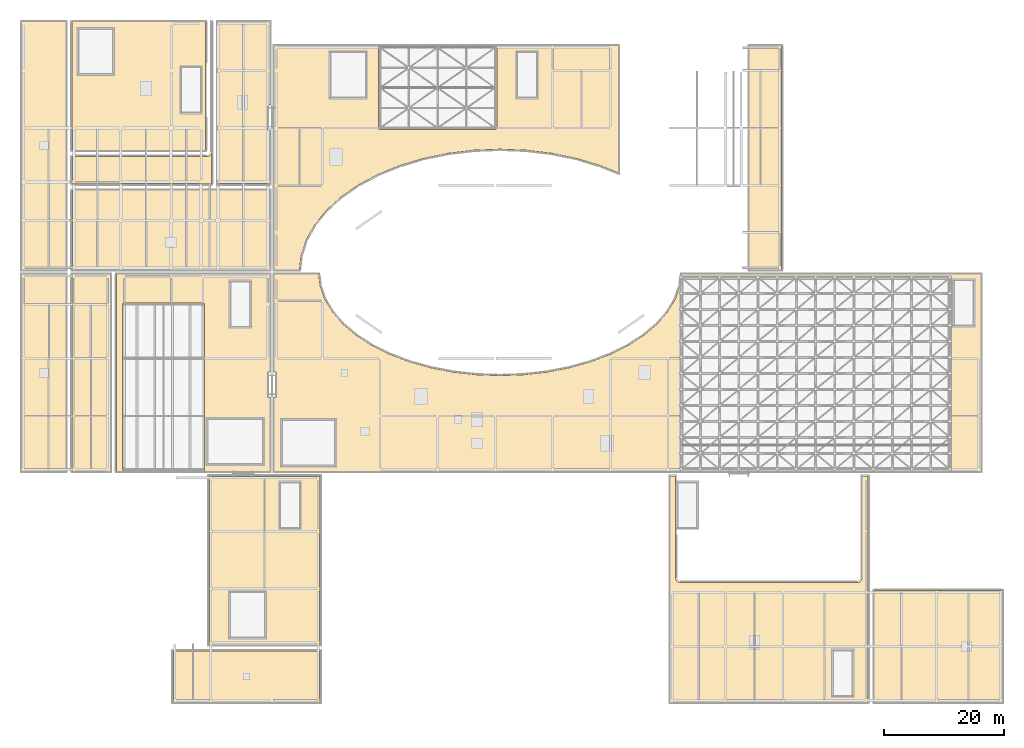
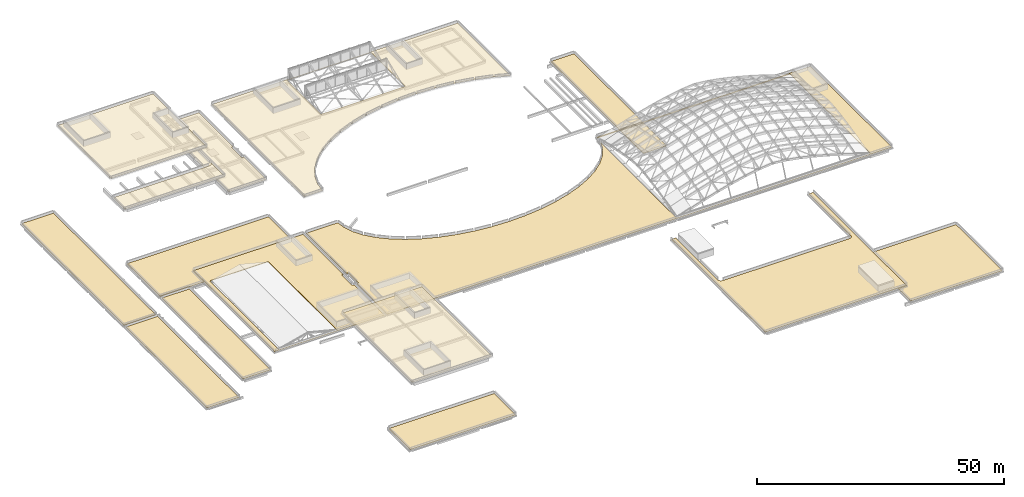
# One storey, part 40 of 40: 15 coverings.
"""IFC4 building model written with IfcOpenShell, lengths in metres."""

from ifc_helpers import new_model, si_unit, direction, frame, origin, place, context, subcontext, project, spatial, polyline, outline, extrude, material, layer, layer_set, type_object, element, save


model = new_model("IFC4")

# Units and contexts
model_context = context("Model", 3, precision=1e-05, world=origin(), true_north=direction((0.0, 1.0)))
body_context = subcontext(model_context, "Body", "Model", "MODEL_VIEW")
ifc_project = project(units=[si_unit("LENGTHUNIT", "METRE"), si_unit("AREAUNIT", "SQUARE_METRE"), si_unit("VOLUMEUNIT", "CUBIC_METRE"), si_unit("PLANEANGLEUNIT", "RADIAN"), si_unit("MASSUNIT", "GRAM", prefix="KILO")], contexts=[model_context])

# Site, building, storey
site_placement = place(None, origin())
site = spatial("IfcSite", under=ifc_project, at=site_placement, CompositionType="ELEMENT")
building_placement = place(site_placement, origin())
building = spatial("IfcBuilding", under=site, at=building_placement, Name="Mzevani Central Library", CompositionType="ELEMENT")
storey_placement = place(building_placement, frame((0.0, 0.0, 26.699951171875)))
storey = spatial("IfcBuildingStorey", under=building, at=storey_placement, Name="RF", CompositionType="ELEMENT", Elevation=26.699951171875)

# Coverings
ifc_material = material(Name="SBS modified bitumen roofing membrane")
ifc_layer = layer(ifc_material, 0.139892578125, Name="Insulated SBS Roof Membrane Build-Up")
ifc_layer_set = layer_set([ifc_layer], Name="SBS modified bitumen roofing membrane")
covering_type = type_object("IfcCoveringType", Name="Insulated SBS Roof Membrane Build-Up", PredefinedType="ROOFING", material=ifc_layer_set)
covering_1_placement = place(storey_placement, frame((0.0, 0.0, -12.89990234375)))
element("IfcCovering", 1, at=covering_1_placement, inside=storey, type_object=covering_type, Name="RF V1 Roof Waterproofing Membrane (1)", PredefinedType="ROOFING", context=body_context, shape_type="SweptSolid", body=[
    extrude(outline(polyline([(54.77685546875, 71.5107421875), (54.786865234375, 71.486572265625), (54.799072265625, 71.46337890625), (56.060546875, 69.356201171875), (56.072998046875, 69.3369140625), (56.08740234375, 69.319091796875), (57.822998046875, 67.3232421875), (57.83642578125, 67.308837890625), (57.85107421875, 67.295654296875), (60.03125, 65.4453125), (60.05810546875, 65.42529296875), (62.6455078125, 63.752197265625), (62.6708984375, 63.73779296875), (65.621337890625, 62.2705078125), (65.64501953125, 62.260009765625), (68.907958984375, 61.023681640625), (68.929931640625, 61.0166015625), (72.449462890625, 60.0322265625), (72.470458984375, 60.02734375), (76.186279296875, 59.31201171875), (76.206298828125, 59.30908203125), (80.05517578125, 58.874755859375), (80.074462890625, 58.873291015625), (83.990234375, 58.727783203125), (84.009765625, 58.727783203125), (87.925537109375, 58.873291015625), (87.94482421875, 58.874755859375), (91.793701171875, 59.30908203125), (91.813720703125, 59.31201171875), (95.529541015625, 60.02734375), (95.550537109375, 60.0322265625), (99.070068359375, 61.0166015625), (99.092041015625, 61.023681640625), (102.35498046875, 62.260009765625), (102.378662109375, 62.2705078125), (105.3291015625, 63.73779296875), (105.3544921875, 63.752197265625), (107.94189453125, 65.42529296875), (107.96875, 65.4453125), (110.14892578125, 67.295654296875), (110.16357421875, 67.308837890625), (110.177001953125, 67.3232421875), (111.91259765625, 69.319091796875), (111.927001953125, 69.3369140625), (111.939453125, 69.356201171875), (113.200927734375, 71.46337890625), (113.213134765625, 71.486572265625), (113.22314453125, 71.5107421875), (113.93994140625, 73.5546875), (113.93994140625, 43.10009765625), (113.94140625, 43.074462890625), (113.945068359375, 43.04931640625), (113.951171875, 43.0244140625), (113.959716796875, 43.00048828125), (113.970703125, 42.977294921875), (113.98388671875, 42.95556640625), (113.9990234375, 42.93505859375), (114.01611328125, 42.916259765625), (114.03515625, 42.89892578125), (114.0556640625, 42.8837890625), (114.077392578125, 42.87060546875), (114.1005859375, 42.85986328125), (114.12451171875, 42.851318359375), (114.1494140625, 42.844970703125), (114.174560546875, 42.84130859375), (114.199951171875, 42.840087890625), (159.0, 42.840087890625), (159.025390625, 42.84130859375), (159.05078125, 42.844970703125), (159.075439453125, 42.851318359375), (159.099609375, 42.85986328125), (159.12255859375, 42.87060546875), (159.144287109375, 42.8837890625), (159.164794921875, 42.89892578125), (159.183837890625, 42.916259765625), (159.200927734375, 42.93505859375), (159.21630859375, 42.95556640625), (159.229248046875, 42.977294921875), (159.240234375, 43.00048828125), (159.248779296875, 43.0244140625), (159.2548828125, 43.04931640625), (159.2587890625, 43.074462890625), (159.260009765625, 43.10009765625), (159.260009765625, 75.10009765625), (159.2587890625, 75.12548828125), (159.2548828125, 75.150634765625), (159.248779296875, 75.175537109375), (159.240234375, 75.199462890625), (159.229248046875, 75.22265625), (159.21630859375, 75.244384765625), (159.200927734375, 75.264892578125), (159.183837890625, 75.28369140625), (159.164794921875, 75.301025390625), (159.144287109375, 75.316162109375), (159.12255859375, 75.329345703125), (159.099609375, 75.340087890625), (159.075439453125, 75.348876953125), (159.05078125, 75.35498046875), (159.025390625, 75.358642578125), (159.0, 75.360107421875), (114.199951171875, 75.360107421875), (114.1875, 75.359375), (114.22021484375, 75.639892578125), (164.139892578125, 75.639892578125), (164.139892578125, 42.760009765625), (46.360107421875, 42.760009765625), (46.360107421875, 55.06005859375), (46.52001953125, 55.06005859375), (46.54541015625, 55.061279296875), (46.57080078125, 55.06494140625), (46.595458984375, 55.0712890625), (46.619384765625, 55.079833984375), (46.642578125, 55.0908203125), (46.664306640625, 55.103759765625), (46.684814453125, 55.118896484375), (46.703857421875, 55.13623046875), (46.720947265625, 55.155029296875), (46.736083984375, 55.175537109375), (46.749267578125, 55.197509765625), (46.76025390625, 55.220458984375), (46.768798828125, 55.244384765625), (46.77490234375, 55.269287109375), (46.77880859375, 55.29443359375), (46.780029296875, 55.320068359375), (46.780029296875, 59.080078125), (46.77880859375, 59.10546875), (46.77490234375, 59.130615234375), (46.768798828125, 59.155517578125), (46.76025390625, 59.179443359375), (46.749267578125, 59.20263671875), (46.736083984375, 59.224365234375), (46.720947265625, 59.244873046875), (46.703857421875, 59.263916015625), (46.684814453125, 59.281005859375), (46.664306640625, 59.296142578125), (46.642578125, 59.309326171875), (46.619384765625, 59.3203125), (46.595458984375, 59.328857421875), (46.57080078125, 59.3349609375), (46.54541015625, 59.338623046875), (46.52001953125, 59.340087890625), (46.360107421875, 59.340087890625), (46.360107421875, 75.639892578125), (53.77978515625, 75.639892578125), (53.998291015625, 73.74951171875), (54.00341796875, 73.72119140625), (54.011474609375, 73.693359375), (54.77685546875, 71.5107421875)])), origin(), (0.0, 0.0, 1.0), 0.139892578125),
])
covering_2_placement = place(storey_placement, frame((0.0, 0.0, -21.300048828125)))
element("IfcCovering", 2, at=covering_2_placement, inside=storey, type_object=covering_type, Name="RF V2 Roof Waterproofing Membrane (2)", PredefinedType="ROOFING", context=body_context, shape_type="SweptSolid", body=[
    extrude(outline(polyline([(4.260009765625, 76.360107421875), (4.260009765625, 117.739990234375), (11.659912109375, 117.739990234375), (11.659912109375, 76.360107421875), (4.260009765625, 76.360107421875)])), origin(), (0.0, 0.0, 1.0), 0.14013671875),
])
covering_3_placement = place(storey_placement, frame((0.0, 0.0, -17.099853515625)))
element("IfcCovering", 3, at=covering_3_placement, inside=storey, type_object=covering_type, Name="RF V2 Roof Waterproofing Membrane (3)", PredefinedType="ROOFING", context=body_context, shape_type="SweptSolid", body=[
    extrude(outline(polyline([(12.659912109375, 89.659912109375), (45.639892578125, 89.659912109375), (45.639892578125, 76.360107421875), (12.659912109375, 76.360107421875), (12.659912109375, 89.659912109375)])), origin(), (0.0, 0.0, 1.0), 0.139892578125),
])
covering_4_placement = place(storey_placement, frame((0.0, 0.0, -8.39990234375)))
element("IfcCovering", 4, at=covering_4_placement, inside=storey, type_object=covering_type, Name="RF V2 Roof Waterproofing Membrane (4)", PredefinedType="ROOFING", context=body_context, shape_type="SweptSolid", body=[
    extrude(outline(polyline([(45.639892578125, 103.93994140625), (45.47998046875, 103.93994140625), (45.45458984375, 103.938720703125), (45.42919921875, 103.93505859375), (45.404541015625, 103.9287109375), (45.380615234375, 103.920166015625), (45.357421875, 103.9091796875), (45.335693359375, 103.896240234375), (45.315185546875, 103.881103515625), (45.296142578125, 103.86376953125), (45.279052734375, 103.844970703125), (45.263916015625, 103.824462890625), (45.250732421875, 103.802490234375), (45.23974609375, 103.779541015625), (45.231201171875, 103.755615234375), (45.22509765625, 103.730712890625), (45.22119140625, 103.70556640625), (45.219970703125, 103.679931640625), (45.219970703125, 99.919921875), (45.22119140625, 99.89453125), (45.22509765625, 99.869384765625), (45.231201171875, 99.844482421875), (45.23974609375, 99.820556640625), (45.250732421875, 99.79736328125), (45.263916015625, 99.775634765625), (45.279052734375, 99.755126953125), (45.296142578125, 99.736083984375), (45.315185546875, 99.718994140625), (45.335693359375, 99.703857421875), (45.357421875, 99.690673828125), (45.380615234375, 99.6796875), (45.404541015625, 99.671142578125), (45.42919921875, 99.6650390625), (45.45458984375, 99.661376953125), (45.47998046875, 99.659912109375), (45.639892578125, 99.659912109375), (45.639892578125, 90.659912109375), (36.93994140625, 90.659912109375), (36.93994140625, 117.739990234375), (45.639892578125, 117.739990234375), (45.639892578125, 103.93994140625)])), origin(), (0.0, 0.0, 1.0), 0.139892578125),
])
covering_5_placement = place(storey_placement, frame((0.0, 0.0, -4.199951171875)))
element("IfcCovering", 5, at=covering_5_placement, inside=storey, type_object=covering_type, Name="RF V2 Roof Waterproofing Membrane (5)", PredefinedType="ROOFING", context=body_context, shape_type="SweptSolid", body=[
    extrude(outline(polyline([(35.93994140625, 117.739990234375), (35.93994140625, 90.659912109375), (12.659912109375, 90.659912109375), (12.659912109375, 95.260009765625), (35.199951171875, 95.260009765625), (35.2255859375, 95.26123046875), (35.250732421875, 95.264892578125), (35.434326171875, 95.301513671875), (35.456787109375, 95.306884765625), (35.478515625, 95.314453125), (35.49951171875, 95.32373046875), (35.51953125, 95.334716796875), (35.53857421875, 95.34765625), (35.725830078125, 95.48681640625), (35.74560546875, 95.5029296875), (35.763671875, 95.52099609375), (35.77978515625, 95.54052734375), (35.7939453125, 95.561767578125), (35.805908203125, 95.584228515625), (35.81591796875, 95.60791015625), (35.9248046875, 95.912353515625), (35.931396484375, 95.93359375), (35.936279296875, 95.95556640625), (35.93896484375, 95.977783203125), (35.93994140625, 96.0), (35.93994140625, 117.739990234375), (35.93994140625, 117.739990234375)])), origin(), (0.0, 0.0, 1.0), 0.139892578125),
])
covering_6_placement = place(storey_placement, origin())
element("IfcCovering", 6, at=covering_6_placement, inside=storey, type_object=covering_type, Name="RF V2 Roof Waterproofing Membrane (6)", PredefinedType="ROOFING", context=body_context, shape_type="SweptSolid", body=[
    extrude(outline(polyline([(12.659912109375, 96.260009765625), (12.659912109375, 117.739990234375), (34.93994140625, 117.739990234375), (34.93994140625, 96.260009765625), (12.659912109375, 96.260009765625)])), origin(), (0.0, 0.0, 1.0), 0.14013671875),
])
covering_7_placement = place(storey_placement, frame((0.0, 0.0, -21.300048828125)))
element("IfcCovering", 7, at=covering_7_placement, inside=storey, type_object=covering_type, Name="RF V3 Roof Waterproofing Membrane (7)", PredefinedType="ROOFING", context=body_context, shape_type="SweptSolid", body=[
    extrude(outline(polyline([(130.93994140625, 76.360107421875), (125.5400390625, 76.360107421875), (125.5400390625, 113.739990234375), (130.93994140625, 113.739990234375), (130.93994140625, 76.360107421875)])), origin(), (0.0, 0.0, 1.0), 0.14013671875),
])
covering_8_placement = place(storey_placement, frame((0.0, 0.0, -4.199951171875)))
element("IfcCovering", 8, at=covering_8_placement, inside=storey, type_object=covering_type, Name="RF V3 Roof Waterproofing Membrane (8)", PredefinedType="ROOFING", context=body_context, shape_type="SweptSolid", body=[
    extrude(outline(polyline([(103.739990234375, 113.739990234375), (103.739990234375, 92.5078125), (100.697998046875, 93.7451171875), (100.6748046875, 93.75341796875), (96.77978515625, 94.922607421875), (96.7578125, 94.92822265625), (92.6455078125, 95.7783203125), (92.6240234375, 95.78173828125), (88.36474609375, 96.297607421875), (88.343994140625, 96.29931640625), (84.010498046875, 96.47216796875), (83.989501953125, 96.47216796875), (79.656005859375, 96.29931640625), (79.63525390625, 96.297607421875), (75.3759765625, 95.78173828125), (75.3544921875, 95.7783203125), (71.2421875, 94.92822265625), (71.22021484375, 94.922607421875), (67.3251953125, 93.75341796875), (67.302001953125, 93.7451171875), (63.691162109375, 92.2763671875), (63.66650390625, 92.264892578125), (60.401611328125, 90.521728515625), (60.375732421875, 90.505859375), (57.512451171875, 88.51806640625), (57.485595703125, 88.49658203125), (55.072998046875, 86.29833984375), (55.058837890625, 86.28466796875), (55.0458984375, 86.27001953125), (53.125244140625, 83.898681640625), (53.11181640625, 83.880615234375), (53.10009765625, 83.861572265625), (51.7041015625, 81.35791015625), (51.693115234375, 81.33544921875), (51.68408203125, 81.31201171875), (50.8369140625, 78.718994140625), (50.829833984375, 78.69287109375), (50.825439453125, 78.666015625), (50.577392578125, 76.360107421875), (46.360107421875, 76.360107421875), (46.360107421875, 113.739990234375), (103.739990234375, 113.739990234375)]), holes=[polyline([(83.4599609375, 113.39990234375), (83.458740234375, 113.425537109375), (83.455078125, 113.45068359375), (83.44873046875, 113.4755859375), (83.440185546875, 113.49951171875), (83.42919921875, 113.522705078125), (83.416259765625, 113.54443359375), (83.40087890625, 113.56494140625), (83.3837890625, 113.583740234375), (83.364990234375, 113.60107421875), (83.344482421875, 113.6162109375), (83.322509765625, 113.62939453125), (83.299560546875, 113.64013671875), (83.275390625, 113.648681640625), (83.250732421875, 113.655029296875), (83.2255859375, 113.65869140625), (83.199951171875, 113.659912109375), (64.0, 113.659912109375), (63.974609375, 113.65869140625), (63.94921875, 113.655029296875), (63.924560546875, 113.648681640625), (63.900390625, 113.64013671875), (63.87744140625, 113.62939453125), (63.855712890625, 113.6162109375), (63.835205078125, 113.60107421875), (63.816162109375, 113.583740234375), (63.799072265625, 113.56494140625), (63.78369140625, 113.54443359375), (63.770751953125, 113.522705078125), (63.759765625, 113.49951171875), (63.751220703125, 113.4755859375), (63.7451171875, 113.45068359375), (63.7412109375, 113.425537109375), (63.739990234375, 113.39990234375), (63.739990234375, 100.0), (63.7412109375, 99.974609375), (63.7451171875, 99.94921875), (63.751220703125, 99.924560546875), (63.759765625, 99.900390625), (63.770751953125, 99.87744140625), (63.78369140625, 99.855712890625), (63.799072265625, 99.835205078125), (63.816162109375, 99.816162109375), (63.835205078125, 99.799072265625), (63.855712890625, 99.78369140625), (63.87744140625, 99.770751953125), (63.900390625, 99.759765625), (63.924560546875, 99.751220703125), (63.94921875, 99.7451171875), (63.974609375, 99.7412109375), (64.0, 99.739990234375), (83.199951171875, 99.739990234375), (83.2255859375, 99.7412109375), (83.250732421875, 99.7451171875), (83.275390625, 99.751220703125), (83.299560546875, 99.759765625), (83.322509765625, 99.770751953125), (83.344482421875, 99.78369140625), (83.364990234375, 99.799072265625), (83.3837890625, 99.816162109375), (83.40087890625, 99.835205078125), (83.416259765625, 99.855712890625), (83.42919921875, 99.87744140625), (83.440185546875, 99.900390625), (83.44873046875, 99.924560546875), (83.455078125, 99.94921875), (83.458740234375, 99.974609375), (83.4599609375, 100.0), (83.4599609375, 113.39990234375)])]), origin(), (0.0, 0.0, 1.0), 0.139892578125),
])
covering_9_placement = place(storey_placement, frame((0.0, 0.0, -17.099853515625)))
element("IfcCovering", 9, at=covering_9_placement, inside=storey, type_object=covering_type, Name="RF V4 Roof Waterproofing Membrane (9)", PredefinedType="ROOFING", context=body_context, shape_type="SweptSolid", body=[
    extrude(outline(polyline([(29.4599609375, 12.860107421875), (54.0400390625, 12.860107421875), (54.0400390625, 4.260009765625), (29.4599609375, 4.260009765625), (29.4599609375, 12.860107421875)])), origin(), (0.0, 0.0, 1.0), 0.139892578125),
])
covering_10_placement = place(storey_placement, frame((0.0, 0.0, -8.39990234375)))
element("IfcCovering", 10, at=covering_10_placement, inside=storey, type_object=covering_type, Name="RF V4 Roof Waterproofing Membrane (10)", PredefinedType="ROOFING", context=body_context, shape_type="SweptSolid", body=[
    extrude(outline(polyline([(35.4599609375, 42.0400390625), (54.0400390625, 42.0400390625), (54.0400390625, 13.860107421875), (35.4599609375, 13.860107421875), (35.4599609375, 42.0400390625)])), origin(), (0.0, 0.0, 1.0), 0.139892578125),
])
covering_11_placement = place(storey_placement, frame((0.0, 0.0, -21.300048828125)))
element("IfcCovering", 11, at=covering_11_placement, inside=storey, type_object=covering_type, Name="RF V5 Roof Waterproofing Membrane (11)", PredefinedType="ROOFING", context=body_context, shape_type="SweptSolid", body=[
    extrude(outline(polyline([(4.260009765625, 42.760009765625), (4.260009765625, 75.639892578125), (11.659912109375, 75.639892578125), (11.659912109375, 42.760009765625), (4.260009765625, 42.760009765625)])), origin(), (0.0, 0.0, 1.0), 0.14013671875),
])
covering_12_placement = place(storey_placement, frame((0.0, 0.0, -17.099853515625)))
element("IfcCovering", 12, at=covering_12_placement, inside=storey, type_object=covering_type, Name="RF V5 Roof Waterproofing Membrane (12)", PredefinedType="ROOFING", context=body_context, shape_type="SweptSolid", body=[
    extrude(outline(polyline([(19.06005859375, 42.760009765625), (12.659912109375, 42.760009765625), (12.659912109375, 75.639892578125), (19.06005859375, 75.639892578125), (19.06005859375, 42.760009765625)])), origin(), (0.0, 0.0, 1.0), 0.139892578125),
])
covering_13_placement = place(storey_placement, frame((0.0, 0.0, -12.89990234375)))
element("IfcCovering", 13, at=covering_13_placement, inside=storey, type_object=covering_type, Name="RF V5 Roof Waterproofing Membrane (13)", PredefinedType="ROOFING", context=body_context, shape_type="SweptSolid", body=[
    extrude(outline(polyline([(45.219970703125, 55.320068359375), (45.22119140625, 55.29443359375), (45.22509765625, 55.269287109375), (45.231201171875, 55.244384765625), (45.23974609375, 55.220458984375), (45.250732421875, 55.197509765625), (45.263916015625, 55.175537109375), (45.279052734375, 55.155029296875), (45.296142578125, 55.13623046875), (45.315185546875, 55.118896484375), (45.335693359375, 55.103759765625), (45.357421875, 55.0908203125), (45.380615234375, 55.079833984375), (45.404541015625, 55.0712890625), (45.42919921875, 55.06494140625), (45.45458984375, 55.061279296875), (45.47998046875, 55.06005859375), (45.639892578125, 55.06005859375), (45.639892578125, 42.760009765625), (20.06005859375, 42.760009765625), (20.06005859375, 75.639892578125), (45.639892578125, 75.639892578125), (45.639892578125, 59.340087890625), (45.47998046875, 59.340087890625), (45.45458984375, 59.338623046875), (45.42919921875, 59.3349609375), (45.404541015625, 59.328857421875), (45.380615234375, 59.3203125), (45.357421875, 59.309326171875), (45.335693359375, 59.296142578125), (45.315185546875, 59.281005859375), (45.296142578125, 59.263916015625), (45.279052734375, 59.244873046875), (45.263916015625, 59.224365234375), (45.250732421875, 59.20263671875), (45.23974609375, 59.179443359375), (45.231201171875, 59.155517578125), (45.22509765625, 59.130615234375), (45.22119140625, 59.10546875), (45.219970703125, 59.080078125), (45.219970703125, 55.320068359375)]), holes=[polyline([(34.5, 42.840087890625), (34.525390625, 42.84130859375), (34.55078125, 42.844970703125), (34.575439453125, 42.851318359375), (34.599609375, 42.85986328125), (34.62255859375, 42.87060546875), (34.644287109375, 42.8837890625), (34.664794921875, 42.89892578125), (34.683837890625, 42.916259765625), (34.700927734375, 42.93505859375), (34.71630859375, 42.95556640625), (34.729248046875, 42.977294921875), (34.740234375, 43.00048828125), (34.748779296875, 43.0244140625), (34.7548828125, 43.04931640625), (34.7587890625, 43.074462890625), (34.760009765625, 43.10009765625), (34.760009765625, 70.60009765625), (34.7587890625, 70.62548828125), (34.7548828125, 70.650634765625), (34.748779296875, 70.675537109375), (34.740234375, 70.699462890625), (34.729248046875, 70.72265625), (34.71630859375, 70.744384765625), (34.700927734375, 70.764892578125), (34.683837890625, 70.78369140625), (34.664794921875, 70.801025390625), (34.644287109375, 70.816162109375), (34.62255859375, 70.829345703125), (34.599609375, 70.840087890625), (34.575439453125, 70.848876953125), (34.55078125, 70.85498046875), (34.525390625, 70.858642578125), (34.5, 70.860107421875), (21.35009765625, 70.860107421875), (21.324462890625, 70.858642578125), (21.29931640625, 70.85498046875), (21.2744140625, 70.848876953125), (21.25048828125, 70.840087890625), (21.227294921875, 70.829345703125), (21.20556640625, 70.816162109375), (21.18505859375, 70.801025390625), (21.166259765625, 70.78369140625), (21.14892578125, 70.764892578125), (21.1337890625, 70.744384765625), (21.12060546875, 70.72265625), (21.10986328125, 70.699462890625), (21.101318359375, 70.675537109375), (21.094970703125, 70.650634765625), (21.09130859375, 70.62548828125), (21.090087890625, 70.60009765625), (21.090087890625, 43.10009765625), (21.09130859375, 43.074462890625), (21.094970703125, 43.04931640625), (21.101318359375, 43.0244140625), (21.10986328125, 43.00048828125), (21.12060546875, 42.977294921875), (21.1337890625, 42.95556640625), (21.14892578125, 42.93505859375), (21.166259765625, 42.916259765625), (21.18505859375, 42.89892578125), (21.20556640625, 42.8837890625), (21.227294921875, 42.87060546875), (21.25048828125, 42.85986328125), (21.2744140625, 42.851318359375), (21.29931640625, 42.844970703125), (21.324462890625, 42.84130859375), (21.35009765625, 42.840087890625), (34.5, 42.840087890625)])]), origin(), (0.0, 0.0, 1.0), 0.139892578125),
])
covering_14_placement = place(storey_placement, frame((0.0, 0.0, -21.300048828125)))
element("IfcCovering", 14, at=covering_14_placement, inside=storey, type_object=covering_type, Name="RF V6 Roof Waterproofing Membrane (14)", PredefinedType="ROOFING", context=body_context, shape_type="SweptSolid", body=[
    extrude(outline(polyline([(167.739990234375, 4.260009765625), (146.340087890625, 4.260009765625), (146.340087890625, 22.93994140625), (167.739990234375, 22.93994140625), (167.739990234375, 4.260009765625)])), origin(), (0.0, 0.0, 1.0), 0.14013671875),
])
covering_15_placement = place(storey_placement, frame((0.0, 0.0, -17.099853515625)))
element("IfcCovering", 15, at=covering_15_placement, inside=storey, type_object=covering_type, Name="RF V6 Roof Waterproofing Membrane (15)", PredefinedType="ROOFING", context=body_context, shape_type="SweptSolid", body=[
    extrude(outline(polyline([(113.301513671875, 24.765625), (113.3076171875, 24.740966796875), (113.31640625, 24.716796875), (113.3271484375, 24.693603515625), (113.34033203125, 24.671875), (113.35546875, 24.6513671875), (113.5322265625, 24.435791015625), (113.549560546875, 24.4169921875), (113.568359375, 24.39990234375), (113.5888671875, 24.384765625), (113.610595703125, 24.37158203125), (113.6337890625, 24.360595703125), (113.65771484375, 24.35205078125), (113.924560546875, 24.271240234375), (113.94921875, 24.264892578125), (113.974609375, 24.26123046875), (114.0, 24.260009765625), (143.60009765625, 24.260009765625), (143.621337890625, 24.260986328125), (143.642333984375, 24.263427734375), (143.6630859375, 24.267822265625), (143.889404296875, 24.324462890625), (143.913818359375, 24.331787109375), (143.9375, 24.341796875), (143.9599609375, 24.353759765625), (143.981201171875, 24.367919921875), (144.0009765625, 24.384033203125), (144.173583984375, 24.54052734375), (144.190185546875, 24.55712890625), (144.205322265625, 24.574951171875), (144.21875, 24.59423828125), (144.23046875, 24.614501953125), (144.239990234375, 24.6357421875), (144.247802734375, 24.65771484375), (144.328857421875, 24.924560546875), (144.3349609375, 24.94921875), (144.338623046875, 24.974609375), (144.340087890625, 25.0), (144.340087890625, 42.0400390625), (145.340087890625, 42.0400390625), (145.340087890625, 4.260009765625), (112.360107421875, 4.260009765625), (112.360107421875, 42.0400390625), (113.260009765625, 42.0400390625), (113.260009765625, 25.0), (113.26123046875, 24.974609375), (113.264892578125, 24.94921875), (113.301513671875, 24.765625)])), origin(), (0.0, 0.0, 1.0), 0.139892578125),
])

save(model, "model.ifc")
